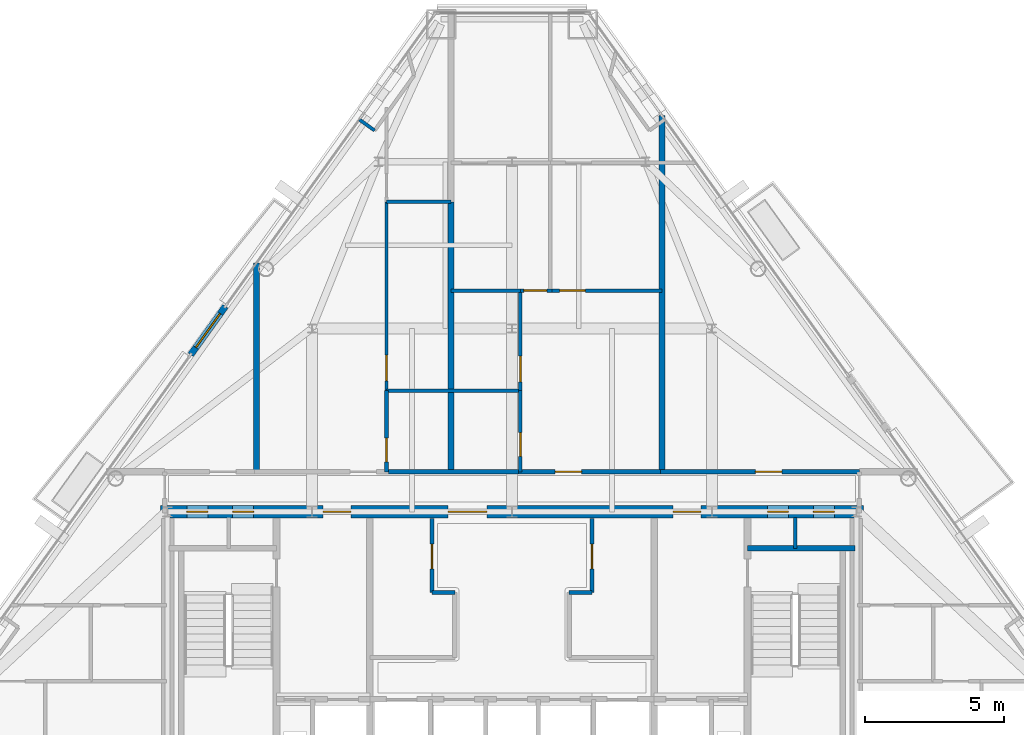
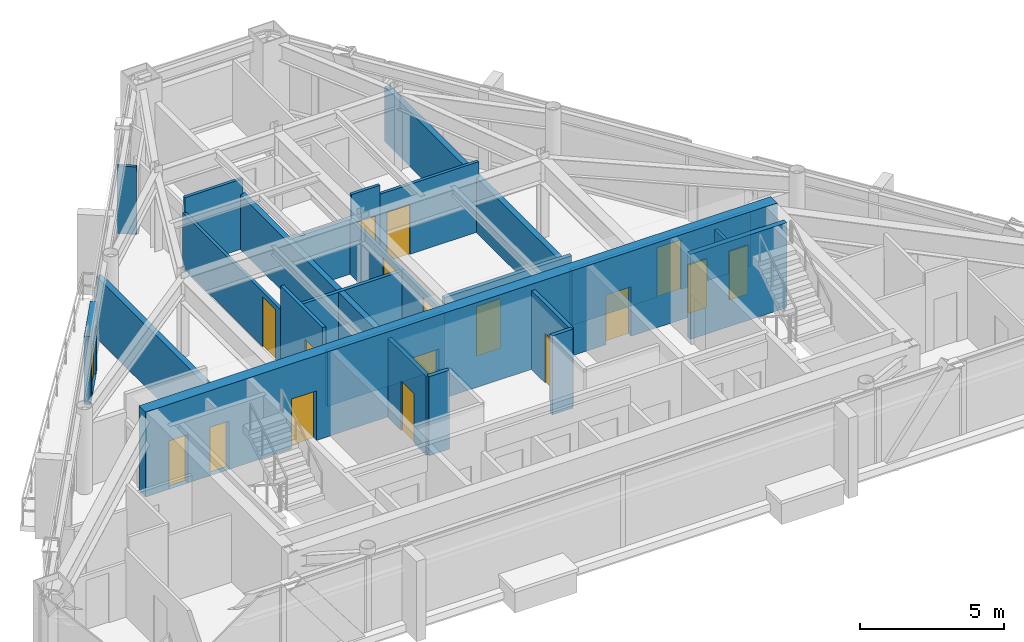
# One storey, part 8 of 11: 24 walls, 18 doors, 18 openings.
"""IFC4 building model written with IfcOpenShell, lengths in metres."""

from ifc_helpers import new_model, si_unit, direction, frame, frame_2d, origin, place, context, subcontext, project, spatial, rectangle, extrude, material, layer, layer_set, type_object, element, fill, save


model = new_model("IFC4")

# Units and contexts
model_context = context("Model", 3, precision=1e-05, world=origin(), true_north=direction((0.0, 1.0)))
body_context = subcontext(model_context, "Body", "Model", "MODEL_VIEW")
ifc_project = project(units=[si_unit("LENGTHUNIT", "METRE"), si_unit("AREAUNIT", "SQUARE_METRE"), si_unit("VOLUMEUNIT", "CUBIC_METRE"), si_unit("PLANEANGLEUNIT", "RADIAN"), si_unit("MASSUNIT", "GRAM", prefix="KILO")], contexts=[model_context])

# Site, building, storey
site_placement = place(None, origin())
site = spatial("IfcSite", under=ifc_project, at=site_placement, CompositionType="ELEMENT")
building_placement = place(site_placement, origin())
building = spatial("IfcBuilding", under=site, at=building_placement, Name="Talgorran Terracotta Tower", CompositionType="ELEMENT")
storey_placement = place(building_placement, frame((0.0, 0.0, 237.0)))
storey = spatial("IfcBuildingStorey", under=building, at=storey_placement, Name="L62", CompositionType="ELEMENT", Elevation=237.0)

# Wall, opening, door
ifc_material_1 = material(Name="Concrete C40/50", Category="concrete")
ifc_layer_1 = layer(ifc_material_1, 0.239990234375, Name="WT_BALCONY_SPAND")
ifc_layer_set_1 = layer_set([ifc_layer_1], Name="Concrete C40/50")
wall_type_1 = type_object("IfcWallType", Name="WT_BALCONY_SPAND", PredefinedType="STANDARD", material=ifc_layer_set_1)
wall_1_placement = place(storey_placement, frame((-10.318603515625, 3.19580078125, -0.014892578125), z_axis=(0.0, 0.0, 1.0), x_axis=(-0.582704832398, -0.812683873533, 0.0)))
wall_1 = element("IfcWall", 1, at=wall_1_placement, inside=storey, type_object=wall_type_1, Name="WL-L62-BALP-BAL-NW", PredefinedType="STANDARD", context=body_context, shape_type="SweptSolid", body=[
    extrude(rectangle(XDim=2.14013671875, YDim=0.239990234375, at=frame_2d((1.070068359375, 0.0))), origin(), (0.0, 0.0, 1.0), 2.8779296875),
])
opening_1_placement = place(wall_1_placement, frame((0.320068359375, 0.0, 0.014892578125)))
opening_1 = element("IfcOpeningElement", 2, at=opening_1_placement, cuts=wall_1, Name="Opening D-BAL-L62-2", PredefinedType="OPENING", context=body_context, shape_type="SweptSolid", body=[
    extrude(rectangle(XDim=1.506, YDim=2.203951171875, at=frame_2d((0.75, 1.10205078125))), frame((0.0, 0.1298828125, 0.0), z_axis=(0.0, -1.0, 0.0), x_axis=(1.0, 0.0, 0.0)), (0.0, 0.0, 1.0), 0.260009765625),
])
ifc_material_2 = material(Name="Thermally Broken Aluminium", Category="aluminium")
door_type_1 = type_object("IfcDoorType", Name="DT_BALC_1500", OperationType="SLIDING_TO_RIGHT", PredefinedType="DOOR", material=ifc_material_2)
door_1_placement = place(opening_1_placement, origin())
door_1 = element("IfcDoor", 3, at=door_1_placement, inside=storey, type_object=door_type_1, Name="DR-L62-BAL-BAL-NW", OperationType="SLIDING_TO_RIGHT", OverallHeight=2.199951171875, OverallWidth=1.5, PredefinedType="DOOR", context=body_context, shape_type="SweptSolid", body=[
    extrude(rectangle(XDim=1.5, YDim=2.199951171875, at=frame_2d((0.75, 1.10009765625))), frame((0.0, 0.02490234375, 0.0), z_axis=(0.0, -1.0, 0.0), x_axis=(1.0, 0.0, 0.0)), (0.0, 0.0, 1.0), 0.050048828125),
])
fill(opening_1, door_1)

# Wall
ifc_material_3 = material(Name="Concrete C50/60", Category="concrete")
ifc_layer_2 = layer(ifc_material_3, 0.199951171875, Name="WT_CORE_200")
ifc_layer_set_2 = layer_set([ifc_layer_2], Name="Concrete C50/60")
wall_type_2 = type_object("IfcWallType", Name="WT_CORE_200", PredefinedType="SOLIDWALL", material=ifc_layer_set_2)
wall_2_placement = place(storey_placement, frame((8.47998046875, -5.52001953125, 0.0), z_axis=(0.0, 0.0, 1.0), x_axis=(1.0, 0.0, 0.0)))
element("IfcWall", 4, at=wall_2_placement, inside=storey, type_object=wall_type_2, Name="WL-L62-CW-ST2-N", PredefinedType="SOLIDWALL", context=body_context, shape_type="SweptSolid", body=[
    extrude(rectangle(XDim=3.8701171875, YDim=0.199951171875, at=frame_2d((1.93505859375, 0.0))), origin(), (0.0, 0.0, 1.0), 3.60009765625),
])

# Wall, openings, doors
ifc_material_4 = material(Name="Concrete C65/80", Category="concrete")
ifc_layer_3 = layer(ifc_material_4, 0.449951171875, Name="WT_CORE_EXT")
ifc_layer_set_3 = layer_set([ifc_layer_3], Name="Concrete C65/80")
wall_type_3 = type_object("IfcWallType", Name="WT_CORE_EXT", PredefinedType="SHEAR", material=ifc_layer_set_3)
wall_3_placement = place(storey_placement, frame((-12.64990234375, -4.199951171875, 0.0), z_axis=(0.0, 0.0, 1.0), x_axis=(1.0, 0.0, 0.0)))
wall_3 = element("IfcWall", 5, at=wall_3_placement, inside=storey, type_object=wall_type_3, Name="WL-L62-CW-OUT-N", PredefinedType="SHEAR", context=body_context, shape_type="SweptSolid", body=[
    extrude(rectangle(XDim=25.2998046875, YDim=0.449951171875, at=frame_2d((12.64990234375, 0.0))), origin(), (0.0, 0.0, 1.0), 3.60009765625),
])
opening_2_placement = place(wall_3_placement, frame((0.949951171875, 0.0, 0.0)))
opening_2 = element("IfcOpeningElement", 6, at=opening_2_placement, cuts=wall_3, Name="Opening DR-CSN1", PredefinedType="OPENING", context=body_context, shape_type="SweptSolid", body=[
    extrude(rectangle(XDim=0.756, YDim=2.054048828125, at=frame_2d((0.375, 1.027099609375))), frame((0.0, 0.23486328125, 0.0), z_axis=(0.0, -1.0, 0.0), x_axis=(1.0, 0.0, 0.0)), (0.0, 0.0, 1.0), 0.469970703125),
])
opening_3_placement = place(wall_3_placement, frame((2.60009765625, 0.0, 0.0)))
opening_3 = element("IfcOpeningElement", 7, at=opening_3_placement, cuts=wall_3, Name="Opening DR-CSN2", PredefinedType="OPENING", context=body_context, shape_type="SweptSolid", body=[
    extrude(rectangle(XDim=0.756, YDim=2.054048828125, at=frame_2d((0.375, 1.027099609375))), frame((0.0, 0.23486328125, 0.0), z_axis=(0.0, -1.0, 0.0), x_axis=(1.0, 0.0, 0.0)), (0.0, 0.0, 1.0), 0.469970703125),
])
opening_4_placement = place(wall_3_placement, frame((21.85009765625, 0.0, 0.0)))
opening_4 = element("IfcOpeningElement", 8, at=opening_4_placement, cuts=wall_3, Name="Opening DR-CSN3", PredefinedType="OPENING", context=body_context, shape_type="SweptSolid", body=[
    extrude(rectangle(XDim=0.756, YDim=2.054048828125, at=frame_2d((0.375, 1.027099609375))), frame((0.0, 0.23486328125, 0.0), z_axis=(0.0, -1.0, 0.0), x_axis=(1.0, 0.0, 0.0)), (0.0, 0.0, 1.0), 0.469970703125),
])
opening_5_placement = place(wall_3_placement, frame((23.5, 0.0, 0.0)))
opening_5 = element("IfcOpeningElement", 9, at=opening_5_placement, cuts=wall_3, Name="Opening DR-CSN4", PredefinedType="OPENING", context=body_context, shape_type="SweptSolid", body=[
    extrude(rectangle(XDim=0.756, YDim=2.054048828125, at=frame_2d((0.375, 1.027099609375))), frame((0.0, 0.23486328125, 0.0), z_axis=(0.0, -1.0, 0.0), x_axis=(1.0, 0.0, 0.0)), (0.0, 0.0, 1.0), 0.469970703125),
])
opening_6_placement = place(wall_3_placement, frame((5.85009765625, 0.0, 0.0)))
opening_6 = element("IfcOpeningElement", 10, at=opening_6_placement, cuts=wall_3, Name="Opening DR-FFLW-N", PredefinedType="OPENING", context=body_context, shape_type="SweptSolid", body=[
    extrude(rectangle(XDim=1.006, YDim=2.10409765625, at=frame_2d((0.5, 1.052001953125))), frame((0.0, 0.23486328125, 0.0), z_axis=(0.0, -1.0, 0.0), x_axis=(1.0, 0.0, 0.0)), (0.0, 0.0, 1.0), 0.469970703125),
])
opening_7_placement = place(wall_3_placement, frame((10.35009765625, 0.0, 0.0)))
opening_7 = element("IfcOpeningElement", 11, at=opening_7_placement, cuts=wall_3, Name="Opening DR-PLL-N", PredefinedType="OPENING", context=body_context, shape_type="SweptSolid", body=[
    extrude(rectangle(XDim=1.40590234375, YDim=2.15390234375, at=frame_2d((0.699951171875, 1.076904296875))), frame((0.0, 0.23486328125, 0.0), z_axis=(0.0, -1.0, 0.0), x_axis=(1.0, 0.0, 0.0)), (0.0, 0.0, 1.0), 0.469970703125),
])
opening_8_placement = place(wall_3_placement, frame((18.449951171875, 0.0, 0.0)))
opening_8 = element("IfcOpeningElement", 12, at=opening_8_placement, cuts=wall_3, Name="Opening DR-FFLE-N", PredefinedType="OPENING", context=body_context, shape_type="SweptSolid", body=[
    extrude(rectangle(XDim=1.006, YDim=2.10409765625, at=frame_2d((0.5, 1.052001953125))), frame((0.0, 0.23486328125, 0.0), z_axis=(0.0, -1.0, 0.0), x_axis=(1.0, 0.0, 0.0)), (0.0, 0.0, 1.0), 0.469970703125),
])
ifc_material_5 = material(Name="Acoustic Glazed Timber", Category="wood")
door_type_2 = type_object("IfcDoorType", Name="DT_DOUBLE_1400", OperationType="DOUBLE_DOOR_SINGLE_SWING", PredefinedType="DOOR", material=ifc_material_5)
door_2_placement = place(opening_7_placement, origin())
door_2 = element("IfcDoor", 13, at=door_2_placement, inside=storey, type_object=door_type_2, Name="DR-PLL-N", OperationType="DOUBLE_DOOR_SINGLE_SWING", OverallHeight=2.14990234375, OverallWidth=1.39990234375, PredefinedType="DOOR", context=body_context, shape_type="SweptSolid", body=[
    extrude(rectangle(XDim=1.39990234375, YDim=2.14990234375, at=frame_2d((0.699951171875, 1.074951171875))), frame((0.0, 0.02490234375, 0.0), z_axis=(0.0, -1.0, 0.0), x_axis=(1.0, 0.0, 0.0)), (0.0, 0.0, 1.0), 0.050048828125),
])
fill(opening_7, door_2)
ifc_material_6 = material(Name="Fire-Rated Pressed Steel", Category="steel")
door_type_3 = type_object("IfcDoorType", Name="DT_FIRE_1000", OperationType="NOTDEFINED", PredefinedType="DOOR", material=ifc_material_6)
door_3_placement = place(opening_6_placement, origin())
door_3 = element("IfcDoor", 14, at=door_3_placement, inside=storey, type_object=door_type_3, Name="DR-FFLW-N", OperationType="SINGLE_SWING_LEFT", OverallHeight=2.10009765625, OverallWidth=1.0, PredefinedType="DOOR", context=body_context, shape_type="SweptSolid", body=[
    extrude(rectangle(XDim=1.0, YDim=2.10009765625, at=frame_2d((0.5, 1.050048828125))), frame((0.0, 0.02490234375, 0.0), z_axis=(0.0, -1.0, 0.0), x_axis=(1.0, 0.0, 0.0)), (0.0, 0.0, 1.0), 0.050048828125),
])
fill(opening_6, door_3)
door_4_placement = place(opening_8_placement, origin())
door_4 = element("IfcDoor", 15, at=door_4_placement, inside=storey, type_object=door_type_3, Name="DR-FFLE-N", OperationType="SINGLE_SWING_RIGHT", OverallHeight=2.10009765625, OverallWidth=1.0, PredefinedType="DOOR", context=body_context, shape_type="SweptSolid", body=[
    extrude(rectangle(XDim=1.0, YDim=2.10009765625, at=frame_2d((0.5, 1.050048828125))), frame((0.0, 0.02490234375, 0.0), z_axis=(0.0, -1.0, 0.0), x_axis=(1.0, 0.0, 0.0)), (0.0, 0.0, 1.0), 0.050048828125),
])
fill(opening_8, door_4)
door_type_4 = type_object("IfcDoorType", Name="DT_RISER_750", OperationType="NOTDEFINED", PredefinedType="DOOR", material=ifc_material_6)
door_5_placement = place(opening_2_placement, origin())
door_5 = element("IfcDoor", 16, at=door_5_placement, inside=storey, type_object=door_type_4, Name="DR-CSN1", OperationType="SINGLE_SWING_LEFT", OverallHeight=2.050048828125, OverallWidth=0.75, PredefinedType="DOOR", context=body_context, shape_type="SweptSolid", body=[
    extrude(rectangle(XDim=0.75, YDim=2.050048828125, at=frame_2d((0.375, 1.02490234375))), frame((0.0, 0.02490234375, 0.0), z_axis=(0.0, -1.0, 0.0), x_axis=(1.0, 0.0, 0.0)), (0.0, 0.0, 1.0), 0.050048828125),
])
fill(opening_2, door_5)
door_6_placement = place(opening_3_placement, origin())
door_6 = element("IfcDoor", 17, at=door_6_placement, inside=storey, type_object=door_type_4, Name="DR-CSN2", OperationType="SINGLE_SWING_RIGHT", OverallHeight=2.050048828125, OverallWidth=0.75, PredefinedType="DOOR", context=body_context, shape_type="SweptSolid", body=[
    extrude(rectangle(XDim=0.75, YDim=2.050048828125, at=frame_2d((0.375, 1.02490234375))), frame((0.0, 0.02490234375, 0.0), z_axis=(0.0, -1.0, 0.0), x_axis=(1.0, 0.0, 0.0)), (0.0, 0.0, 1.0), 0.050048828125),
])
fill(opening_3, door_6)
door_7_placement = place(opening_4_placement, origin())
door_7 = element("IfcDoor", 18, at=door_7_placement, inside=storey, type_object=door_type_4, Name="DR-CSN3", OperationType="SINGLE_SWING_LEFT", OverallHeight=2.050048828125, OverallWidth=0.75, PredefinedType="DOOR", context=body_context, shape_type="SweptSolid", body=[
    extrude(rectangle(XDim=0.75, YDim=2.050048828125, at=frame_2d((0.375, 1.02490234375))), frame((0.0, 0.02490234375, 0.0), z_axis=(0.0, -1.0, 0.0), x_axis=(1.0, 0.0, 0.0)), (0.0, 0.0, 1.0), 0.050048828125),
])
fill(opening_4, door_7)
door_8_placement = place(opening_5_placement, origin())
door_8 = element("IfcDoor", 19, at=door_8_placement, inside=storey, type_object=door_type_4, Name="DR-CSN4", OperationType="SINGLE_SWING_RIGHT", OverallHeight=2.050048828125, OverallWidth=0.75, PredefinedType="DOOR", context=body_context, shape_type="SweptSolid", body=[
    extrude(rectangle(XDim=0.75, YDim=2.050048828125, at=frame_2d((0.375, 1.02490234375))), frame((0.0, 0.02490234375, 0.0), z_axis=(0.0, -1.0, 0.0), x_axis=(1.0, 0.0, 0.0)), (0.0, 0.0, 1.0), 0.050048828125),
])
fill(opening_5, door_8)

# Wall
ifc_material_7 = material(Name="Fire-Rated Steel Stud Plasterboard", Category="steel")
ifc_layer_4 = layer(ifc_material_7, 0.14990234375, Name="WT_FIRE_150")
ifc_layer_set_4 = layer_set([ifc_layer_4], Name="Fire-Rated Steel Stud Plasterboard")
wall_type_4 = type_object("IfcWallType", Name="WT_FIRE_150", PredefinedType="PARTITIONING", material=ifc_layer_set_4)
wall_4_placement = place(storey_placement, frame((-2.8798828125, -7.10009765625, 0.0), z_axis=(0.0, 0.0, 1.0), x_axis=(1.0, 0.0, 0.0)))
element("IfcWall", 20, at=wall_4_placement, inside=storey, type_object=wall_type_4, Name="WL-L62-CW-H-W3M2", PredefinedType="PARTITIONING", context=body_context, shape_type="SweptSolid", body=[
    extrude(rectangle(XDim=0.81982421875, YDim=0.14990234375, at=frame_2d((0.409912109375, 0.0))), origin(), (0.0, 0.0, 1.0), 3.344970703125),
])

# Wall, opening, door
wall_5_placement = place(storey_placement, frame((-2.8798828125, -7.10009765625, 0.0), z_axis=(0.0, 0.0, 1.0), x_axis=(0.0, 1.0, 0.0)))
wall_5 = element("IfcWall", 21, at=wall_5_placement, inside=storey, type_object=wall_type_4, Name="WL-L62-CW-V-W3N", PredefinedType="PARTITIONING", context=body_context, shape_type="SweptSolid", body=[
    extrude(rectangle(XDim=2.650146484375, YDim=0.14990234375, at=frame_2d((1.3251953125, 0.0))), origin(), (0.0, 0.0, 1.0), 3.344970703125),
])
opening_9_placement = place(wall_5_placement, frame((0.85009765625, 0.0, 0.0)))
opening_9 = element("IfcOpeningElement", 22, at=opening_9_placement, cuts=wall_5, Name="Opening DR-FRPLL-B", PredefinedType="OPENING", context=body_context, shape_type="SweptSolid", body=[
    extrude(rectangle(XDim=0.8858828125, YDim=2.10409765625, at=frame_2d((0.43994140625, 1.052001953125))), frame((0.0, 0.0849609375, 0.0), z_axis=(0.0, -1.0, 0.0), x_axis=(1.0, 0.0, 0.0)), (0.0, 0.0, 1.0), 0.169921875),
])
ifc_material_8 = material(Name="Solid-Core Painted Timber", Category="wood")
door_type_5 = type_object("IfcDoorType", Name="DT_INT_880", OperationType="NOTDEFINED", PredefinedType="DOOR", material=ifc_material_8)
door_9_placement = place(opening_9_placement, origin())
door_9 = element("IfcDoor", 23, at=door_9_placement, inside=storey, type_object=door_type_5, Name="DR-FRPLL-B", OperationType="SINGLE_SWING_LEFT", OverallHeight=2.10009765625, OverallWidth=0.8798828125, PredefinedType="DOOR", context=body_context, shape_type="SweptSolid", body=[
    extrude(rectangle(XDim=0.8798828125, YDim=2.10009765625, at=frame_2d((0.43994140625, 1.050048828125))), frame((0.0, 0.02490234375, 0.0), z_axis=(0.0, -1.0, 0.0), x_axis=(1.0, 0.0, 0.0)), (0.0, 0.0, 1.0), 0.050048828125),
])
fill(opening_9, door_9)

# Wall
wall_6_placement = place(storey_placement, frame((2.06005859375, -7.10009765625, 0.0), z_axis=(0.0, 0.0, 1.0), x_axis=(1.0, 0.0, 0.0)))
element("IfcWall", 24, at=wall_6_placement, inside=storey, type_object=wall_type_4, Name="WL-L62-CW-H-E3M2", PredefinedType="PARTITIONING", context=body_context, shape_type="SweptSolid", body=[
    extrude(rectangle(XDim=0.81982421875, YDim=0.14990234375, at=frame_2d((0.409912109375, 0.0))), origin(), (0.0, 0.0, 1.0), 3.344970703125),
])

# Wall, opening, door
wall_7_placement = place(storey_placement, frame((2.8798828125, -7.10009765625, 0.0), z_axis=(0.0, 0.0, 1.0), x_axis=(0.0, 1.0, 0.0)))
wall_7 = element("IfcWall", 25, at=wall_7_placement, inside=storey, type_object=wall_type_4, Name="WL-L62-CW-V-E3N", PredefinedType="PARTITIONING", context=body_context, shape_type="SweptSolid", body=[
    extrude(rectangle(XDim=2.650146484375, YDim=0.14990234375, at=frame_2d((1.3251953125, 0.0))), origin(), (0.0, 0.0, 1.0), 3.344970703125),
])
opening_10_placement = place(wall_7_placement, frame((0.85009765625, 0.0, 0.0)))
opening_10 = element("IfcOpeningElement", 26, at=opening_10_placement, cuts=wall_7, Name="Opening DR-FRPLM-B", PredefinedType="OPENING", context=body_context, shape_type="SweptSolid", body=[
    extrude(rectangle(XDim=0.8858828125, YDim=2.10409765625, at=frame_2d((0.43994140625, 1.052001953125))), frame((0.0, 0.0849609375, 0.0), z_axis=(0.0, -1.0, 0.0), x_axis=(1.0, 0.0, 0.0)), (0.0, 0.0, 1.0), 0.169921875),
])
door_10_placement = place(opening_10_placement, origin())
door_10 = element("IfcDoor", 27, at=door_10_placement, inside=storey, type_object=door_type_5, Name="DR-FRPLM-B", OperationType="SINGLE_SWING_RIGHT", OverallHeight=2.10009765625, OverallWidth=0.8798828125, PredefinedType="DOOR", context=body_context, shape_type="SweptSolid", body=[
    extrude(rectangle(XDim=0.8798828125, YDim=2.10009765625, at=frame_2d((0.43994140625, 1.050048828125))), frame((0.0, 0.02490234375, 0.0), z_axis=(0.0, -1.0, 0.0), x_axis=(1.0, 0.0, 0.0)), (0.0, 0.0, 1.0), 0.050048828125),
])
fill(opening_10, door_10)

wall_8_placement = place(storey_placement, frame((5.340087890625, -2.760009765625, 0.0), z_axis=(0.0, 0.0, 1.0), x_axis=(1.0, 0.0, 0.0)))
wall_8 = element("IfcWall", 28, at=wall_8_placement, inside=storey, type_object=wall_type_4, Name="WL-L62-W-L62-R08", PredefinedType="PARTITIONING", context=body_context, shape_type="SweptSolid", body=[
    extrude(rectangle(XDim=7.159912109375, YDim=0.14990234375, at=frame_2d((3.580078125, 0.0))), origin(), (0.0, 0.0, 1.0), 2.320068359375),
])
opening_11_placement = place(wall_8_placement, frame((3.42333984375, 0.0, 0.0)))
opening_11 = element("IfcOpeningElement", 29, at=opening_11_placement, cuts=wall_8, Name="Opening DR-L62-R23", PredefinedType="OPENING", context=body_context, shape_type="SweptSolid", body=[
    extrude(rectangle(XDim=0.955951171875, YDim=2.10409765625, at=frame_2d((0.47509765625, 1.052001953125))), frame((0.0, 0.0849609375, 0.0), z_axis=(0.0, -1.0, 0.0), x_axis=(1.0, 0.0, 0.0)), (0.0, 0.0, 1.0), 0.169921875),
])
ifc_material_9 = material(Name="Fire-Rated Timber Core", Category="wood")
door_type_6 = type_object("IfcDoorType", Name="DT_FIRE_950", OperationType="NOTDEFINED", PredefinedType="DOOR", material=ifc_material_9)
door_11_placement = place(opening_11_placement, origin())
door_11 = element("IfcDoor", 30, at=door_11_placement, inside=storey, type_object=door_type_6, Name="DR-L62-R23", OperationType="SINGLE_SWING_LEFT", OverallHeight=2.10009765625, OverallWidth=0.949951171875, PredefinedType="DOOR", context=body_context, shape_type="SweptSolid", body=[
    extrude(rectangle(XDim=0.949951171875, YDim=2.10009765625, at=frame_2d((0.47509765625, 1.050048828125))), frame((0.0, 0.02490234375, 0.0), z_axis=(0.0, -1.0, 0.0), x_axis=(1.0, 0.0, 0.0)), (0.0, 0.0, 1.0), 0.050048828125),
])
fill(opening_11, door_11)

wall_9_placement = place(storey_placement, frame((0.239990234375, -2.760009765625, 0.0), z_axis=(0.0, 0.0, 1.0), x_axis=(1.0, 0.0, 0.0)))
wall_9 = element("IfcWall", 31, at=wall_9_placement, inside=storey, type_object=wall_type_4, Name="WL-L62-W-L62-R07", PredefinedType="PARTITIONING", context=body_context, shape_type="SweptSolid", body=[
    extrude(rectangle(XDim=5.097900390625, YDim=0.14990234375, at=frame_2d((2.548828125, 0.0))), origin(), (0.0, 0.0, 1.0), 2.96435546875),
])
opening_12_placement = place(wall_9_placement, frame((1.31689453125, 0.0, 0.0)))
opening_12 = element("IfcOpeningElement", 32, at=opening_12_placement, cuts=wall_9, Name="Opening DR-L62-R18", PredefinedType="OPENING", context=body_context, shape_type="SweptSolid", body=[
    extrude(rectangle(XDim=0.955951171875, YDim=2.10409765625, at=frame_2d((0.47509765625, 1.052001953125))), frame((0.0, 0.0849609375, 0.0), z_axis=(0.0, -1.0, 0.0), x_axis=(1.0, 0.0, 0.0)), (0.0, 0.0, 1.0), 0.169921875),
])
door_12_placement = place(opening_12_placement, origin())
door_12 = element("IfcDoor", 33, at=door_12_placement, inside=storey, type_object=door_type_6, Name="DR-L62-R18", OperationType="SINGLE_SWING_RIGHT", OverallHeight=2.10009765625, OverallWidth=0.949951171875, PredefinedType="DOOR", context=body_context, shape_type="SweptSolid", body=[
    extrude(rectangle(XDim=0.949951171875, YDim=2.10009765625, at=frame_2d((0.47509765625, 1.050048828125))), frame((0.0, 0.02490234375, 0.0), z_axis=(0.0, -1.0, 0.0), x_axis=(1.0, 0.0, 0.0)), (0.0, 0.0, 1.0), 0.050048828125),
])
fill(opening_12, door_12)

# Walls
wall_10_placement = place(storey_placement, frame((-4.43798828125, -2.760009765625, 0.0), z_axis=(0.0, 0.0, 1.0), x_axis=(1.0, 0.0, 0.0)))
element("IfcWall", 34, at=wall_10_placement, inside=storey, type_object=wall_type_4, Name="WL-L62-W-L62-R06", PredefinedType="PARTITIONING", context=body_context, shape_type="SweptSolid", body=[
    extrude(rectangle(XDim=4.676025390625, YDim=0.14990234375, at=frame_2d((2.337890625, 0.0))), origin(), (0.0, 0.0, 1.0), 2.320068359375),
])
ifc_material_10 = material(Name="Acoustic Masonry and Plasterboard", Category="masonry")
ifc_layer_5 = layer(ifc_material_10, 0.219970703125, Name="WT_PARTY_220")
ifc_layer_set_5 = layer_set([ifc_layer_5], Name="Acoustic Masonry and Plasterboard")
wall_type_5 = type_object("IfcWallType", Name="WT_PARTY_220", PredefinedType="PARTITIONING", material=ifc_layer_set_5)
wall_11_placement = place(storey_placement, frame((-9.199951171875, -2.760009765625, 0.0), z_axis=(0.0, 0.0, 1.0), x_axis=(0.0, 1.0, 0.0)))
element("IfcWall", 35, at=wall_11_placement, inside=storey, type_object=wall_type_5, Name="WL-L62-W-L62-R25", PredefinedType="PARTITIONING", context=body_context, shape_type="SweptSolid", body=[
    extrude(rectangle(XDim=7.51611328125, YDim=0.219970703125, at=frame_2d((3.758056640625, 0.0))), origin(), (0.0, 0.0, 1.0), 2.6201171875),
])
wall_12_placement = place(storey_placement, frame((5.39990234375, -2.760009765625, 0.0), z_axis=(0.0, 0.0, 1.0), x_axis=(0.0, 1.0, 0.0)))
element("IfcWall", 36, at=wall_12_placement, inside=storey, type_object=wall_type_5, Name="WL-L62-W-L62-R42", PredefinedType="PARTITIONING", context=body_context, shape_type="SweptSolid", body=[
    extrude(rectangle(XDim=12.81640625, YDim=0.219970703125, at=frame_2d((6.408203125, 0.0))), origin(), (0.0, 0.0, 1.0), 2.320068359375),
])
wall_13_placement = place(storey_placement, frame((-2.199951171875, -2.760009765625, 0.0), z_axis=(0.0, 0.0, 1.0), x_axis=(0.0, 1.0, 0.0)))
element("IfcWall", 37, at=wall_13_placement, inside=storey, type_object=wall_type_5, Name="WL-L62-W-L62-R31", PredefinedType="PARTITIONING", context=body_context, shape_type="SweptSolid", body=[
    extrude(rectangle(XDim=9.719970703125, YDim=0.219970703125, at=frame_2d((4.85986328125, 0.0))), origin(), (0.0, 0.0, 1.0), 2.320068359375),
])
ifc_material_11 = material(Name="Insulated Steel Stud Plasterboard", Category="steel")
ifc_layer_6 = layer(ifc_material_11, 0.1201171875, Name="WT_PART_120")
ifc_layer_set_6 = layer_set([ifc_layer_6], Name="Insulated Steel Stud Plasterboard")
wall_type_6 = type_object("IfcWallType", Name="WT_PART_120", PredefinedType="PARTITIONING", material=ifc_layer_set_6)
wall_14_placement = place(storey_placement, frame((10.199951171875, -5.52001953125, 0.0), z_axis=(0.0, 0.0, 1.0), x_axis=(0.0, 1.0, 0.0)))
element("IfcWall", 38, at=wall_14_placement, inside=storey, type_object=wall_type_6, Name="WL-L62-CW-CSE-DIV", PredefinedType="PARTITIONING", context=body_context, shape_type="SweptSolid", body=[
    extrude(rectangle(XDim=1.1201171875, YDim=0.1201171875, at=frame_2d((0.56005859375, 0.0))), origin(), (0.0, 0.0, 1.0), 3.344970703125),
])

# Wall, opening, door
wall_15_placement = place(storey_placement, frame((-4.52001953125, 0.159912109375, 0.0), z_axis=(0.0, 0.0, 1.0), x_axis=(0.0, 1.0, 0.0)))
wall_15 = element("IfcWall", 39, at=wall_15_placement, inside=storey, type_object=wall_type_6, Name="WL-L62-W-L62-R30", PredefinedType="PARTITIONING", context=body_context, shape_type="SweptSolid", body=[
    extrude(rectangle(XDim=6.800048828125, YDim=0.1201171875, at=frame_2d((3.39990234375, 0.0))), origin(), (0.0, 0.0, 1.0), 2.320068359375),
])
opening_13_placement = place(wall_15_placement, frame((0.3583984375, 0.0, 0.0)))
opening_13 = element("IfcOpeningElement", 40, at=opening_13_placement, cuts=wall_15, Name="Opening DR-L62-R13", PredefinedType="OPENING", context=body_context, shape_type="SweptSolid", body=[
    extrude(rectangle(XDim=0.925921875, YDim=2.10409765625, at=frame_2d((0.4599609375, 1.052001953125))), frame((0.0, 0.070068359375, 0.0), z_axis=(0.0, -1.0, 0.0), x_axis=(1.0, 0.0, 0.0)), (0.0, 0.0, 1.0), 0.14013671875),
])
door_type_7 = type_object("IfcDoorType", Name="DT_INT_920", OperationType="NOTDEFINED", PredefinedType="DOOR", material=ifc_material_8)
door_13_placement = place(opening_13_placement, origin())
door_13 = element("IfcDoor", 41, at=door_13_placement, inside=storey, type_object=door_type_7, Name="DR-L62-R13", OperationType="SINGLE_SWING_LEFT", OverallHeight=2.10009765625, OverallWidth=0.919921875, PredefinedType="DOOR", context=body_context, shape_type="SweptSolid", body=[
    extrude(rectangle(XDim=0.919921875, YDim=2.10009765625, at=frame_2d((0.4599609375, 1.050048828125))), frame((0.0, 0.02490234375, 0.0), z_axis=(0.0, -1.0, 0.0), x_axis=(1.0, 0.0, 0.0)), (0.0, 0.0, 1.0), 0.050048828125),
])
fill(opening_13, door_13)

wall_16_placement = place(storey_placement, frame((1.320068359375, 3.760009765625, 0.0), z_axis=(0.0, 0.0, 1.0), x_axis=(1.0, 0.0, 0.0)))
wall_16 = element("IfcWall", 42, at=wall_16_placement, inside=storey, type_object=wall_type_6, Name="WL-L62-W-L62-R41", PredefinedType="PARTITIONING", context=body_context, shape_type="SweptSolid", body=[
    extrude(rectangle(XDim=4.079833984375, YDim=0.1201171875, at=frame_2d((2.0400390625, 0.0))), origin(), (0.0, 0.0, 1.0), 2.96435546875),
])
opening_14_placement = place(wall_16_placement, frame((0.396240234375, 0.0, 0.0)))
opening_14 = element("IfcOpeningElement", 43, at=opening_14_placement, cuts=wall_16, Name="Opening DR-L62-R21", PredefinedType="OPENING", context=body_context, shape_type="SweptSolid", body=[
    extrude(rectangle(XDim=0.925921875, YDim=2.10409765625, at=frame_2d((0.4599609375, 1.052001953125))), frame((0.0, 0.070068359375, 0.0), z_axis=(0.0, -1.0, 0.0), x_axis=(1.0, 0.0, 0.0)), (0.0, 0.0, 1.0), 0.14013671875),
])
door_14_placement = place(opening_14_placement, origin())
door_14 = element("IfcDoor", 44, at=door_14_placement, inside=storey, type_object=door_type_7, Name="DR-L62-R21", OperationType="SINGLE_SWING_LEFT", OverallHeight=2.10009765625, OverallWidth=0.919921875, PredefinedType="DOOR", context=body_context, shape_type="SweptSolid", body=[
    extrude(rectangle(XDim=0.919921875, YDim=2.10009765625, at=frame_2d((0.4599609375, 1.050048828125))), frame((0.0, 0.02490234375, 0.0), z_axis=(0.0, -1.0, 0.0), x_axis=(1.0, 0.0, 0.0)), (0.0, 0.0, 1.0), 0.050048828125),
])
fill(opening_14, door_14)

wall_17_placement = place(storey_placement, frame((0.300048828125, 0.159912109375, 0.0), z_axis=(0.0, 0.0, 1.0), x_axis=(0.0, 1.0, 0.0)))
wall_17 = element("IfcWall", 45, at=wall_17_placement, inside=storey, type_object=wall_type_6, Name="WL-L62-W-L62-R38", PredefinedType="PARTITIONING", context=body_context, shape_type="SweptSolid", body=[
    extrude(rectangle(XDim=3.60009765625, YDim=0.1201171875, at=frame_2d((1.800048828125, 0.0))), origin(), (0.0, 0.0, 1.0), 2.320068359375),
])
opening_15_placement = place(wall_17_placement, frame((0.320068359375, 0.0, 0.0)))
opening_15 = element("IfcOpeningElement", 46, at=opening_15_placement, cuts=wall_17, Name="Opening DR-L62-R17", PredefinedType="OPENING", context=body_context, shape_type="SweptSolid", body=[
    extrude(rectangle(XDim=0.925921875, YDim=2.10409765625, at=frame_2d((0.4599609375, 1.052001953125))), frame((0.0, 0.070068359375, 0.0), z_axis=(0.0, -1.0, 0.0), x_axis=(1.0, 0.0, 0.0)), (0.0, 0.0, 1.0), 0.14013671875),
])
door_15_placement = place(opening_15_placement, origin())
door_15 = element("IfcDoor", 47, at=door_15_placement, inside=storey, type_object=door_type_7, Name="DR-L62-R17", OperationType="SINGLE_SWING_LEFT", OverallHeight=2.10009765625, OverallWidth=0.919921875, PredefinedType="DOOR", context=body_context, shape_type="SweptSolid", body=[
    extrude(rectangle(XDim=0.919921875, YDim=2.10009765625, at=frame_2d((0.4599609375, 1.050048828125))), frame((0.0, 0.02490234375, 0.0), z_axis=(0.0, -1.0, 0.0), x_axis=(1.0, 0.0, 0.0)), (0.0, 0.0, 1.0), 0.050048828125),
])
fill(opening_15, door_15)

# Walls
wall_18_placement = place(storey_placement, frame((-2.199951171875, 3.760009765625, 0.0), z_axis=(0.0, 0.0, 1.0), x_axis=(1.0, 0.0, 0.0)))
element("IfcWall", 48, at=wall_18_placement, inside=storey, type_object=wall_type_6, Name="WL-L62-W-L62-R39", PredefinedType="PARTITIONING", context=body_context, shape_type="SweptSolid", body=[
    extrude(rectangle(XDim=2.5, YDim=0.1201171875, at=frame_2d((1.25, 0.0))), origin(), (0.0, 0.0, 1.0), 2.320068359375),
])
wall_19_placement = place(storey_placement, frame((-4.52001953125, 6.9599609375, 0.0), z_axis=(0.0, 0.0, 1.0), x_axis=(1.0, 0.0, 0.0)))
element("IfcWall", 49, at=wall_19_placement, inside=storey, type_object=wall_type_6, Name="WL-L62-W-L62-R29", PredefinedType="PARTITIONING", context=body_context, shape_type="SweptSolid", body=[
    extrude(rectangle(XDim=2.320068359375, YDim=0.1201171875, at=frame_2d((1.16015625, 0.0))), origin(), (0.0, 0.0, 1.0), 2.96435546875),
])

# Wall, opening, door
wall_20_placement = place(storey_placement, frame((0.300048828125, 3.760009765625, 0.0), z_axis=(0.0, 0.0, 1.0), x_axis=(1.0, 0.0, 0.0)))
wall_20 = element("IfcWall", 50, at=wall_20_placement, inside=storey, type_object=wall_type_6, Name="WL-L62-W-L62-R40", PredefinedType="PARTITIONING", context=body_context, shape_type="SweptSolid", body=[
    extrude(rectangle(XDim=1.139892578125, YDim=0.1201171875, at=frame_2d((0.56982421875, 0.0))), origin(), (0.0, 0.0, 1.0), 3.344970703125),
])
opening_16_placement = place(wall_20_placement, frame((0.1298828125, 0.0, 0.0)))
opening_16 = element("IfcOpeningElement", 51, at=opening_16_placement, cuts=wall_20, Name="Opening DR-L62-R19", PredefinedType="OPENING", context=body_context, shape_type="SweptSolid", body=[
    extrude(rectangle(XDim=0.826068359375, YDim=2.10409765625, at=frame_2d((0.41015625, 1.052001953125))), frame((0.0, 0.070068359375, 0.0), z_axis=(0.0, -1.0, 0.0), x_axis=(1.0, 0.0, 0.0)), (0.0, 0.0, 1.0), 0.14013671875),
])
ifc_material_12 = material(Name="Moisture-Resistant Solid Timber", Category="wood")
door_type_8 = type_object("IfcDoorType", Name="DT_INT_820", OperationType="NOTDEFINED", PredefinedType="DOOR", material=ifc_material_12)
door_16_placement = place(opening_16_placement, origin())
door_16 = element("IfcDoor", 52, at=door_16_placement, inside=storey, type_object=door_type_8, Name="DR-L62-R19", OperationType="SINGLE_SWING_LEFT", OverallHeight=2.10009765625, OverallWidth=0.820068359375, PredefinedType="DOOR", context=body_context, shape_type="SweptSolid", body=[
    extrude(rectangle(XDim=0.820068359375, YDim=2.10009765625, at=frame_2d((0.41015625, 1.050048828125))), frame((0.0, 0.02490234375, 0.0), z_axis=(0.0, -1.0, 0.0), x_axis=(1.0, 0.0, 0.0)), (0.0, 0.0, 1.0), 0.050048828125),
])
fill(opening_16, door_16)

# Wall
wall_21_placement = place(storey_placement, frame((-4.944580078125, 9.524658203125, 0.0), z_axis=(0.0, 0.0, 1.0), x_axis=(-0.812673311452, 0.582719562786, 0.0)))
element("IfcWall", 53, at=wall_21_placement, inside=storey, type_object=wall_type_6, Name="WL-L62-BW-L62-15", PredefinedType="PARTITIONING", context=body_context, shape_type="SweptSolid", body=[
    extrude(rectangle(XDim=0.669921875, YDim=0.1201171875, at=frame_2d((0.3349609375, 0.0))), origin(), (0.0, 0.0, 1.0), 2.863037109375),
])

# Wall, opening, door
ifc_material_13 = material(Name="Moisture-Resistant Stud Wall")
ifc_layer_7 = layer(ifc_material_13, 0.135009765625, Name="WT_PART_135")
ifc_layer_set_7 = layer_set([ifc_layer_7], Name="Moisture-Resistant Stud Wall")
wall_type_7 = type_object("IfcWallType", Name="WT_PART_135", PredefinedType="PARTITIONING", material=ifc_layer_set_7)
wall_22_placement = place(storey_placement, frame((-4.52001953125, -2.760009765625, 0.0), z_axis=(0.0, 0.0, 1.0), x_axis=(0.0, 1.0, 0.0)))
wall_22 = element("IfcWall", 54, at=wall_22_placement, inside=storey, type_object=wall_type_7, Name="WL-L62-W-L62-R27", PredefinedType="PARTITIONING", context=body_context, shape_type="SweptSolid", body=[
    extrude(rectangle(XDim=2.919921875, YDim=0.135009765625, at=frame_2d((1.4599609375, 0.0))), origin(), (0.0, 0.0, 1.0), 3.344970703125),
])
opening_17_placement = place(wall_22_placement, frame((0.358642578125, 0.0, 0.0)))
opening_17 = element("IfcOpeningElement", 55, at=opening_17_placement, cuts=wall_22, Name="Opening DR-L62-R12", PredefinedType="OPENING", context=body_context, shape_type="SweptSolid", body=[
    extrude(rectangle(XDim=0.85609765625, YDim=2.10409765625, at=frame_2d((0.425048828125, 1.052001953125))), frame((0.0, 0.07763671875, 0.0), z_axis=(0.0, -1.0, 0.0), x_axis=(1.0, 0.0, 0.0)), (0.0, 0.0, 1.0), 0.155029296875),
])
door_type_9 = type_object("IfcDoorType", Name="DT_INT_850", OperationType="NOTDEFINED", PredefinedType="DOOR", material=ifc_material_12)
door_17_placement = place(opening_17_placement, origin())
door_17 = element("IfcDoor", 56, at=door_17_placement, inside=storey, type_object=door_type_9, Name="DR-L62-R12", OperationType="SINGLE_SWING_RIGHT", OverallHeight=2.10009765625, OverallWidth=0.85009765625, PredefinedType="DOOR", context=body_context, shape_type="SweptSolid", body=[
    extrude(rectangle(XDim=0.85009765625, YDim=2.10009765625, at=frame_2d((0.425048828125, 1.050048828125))), frame((0.0, 0.02490234375, 0.0), z_axis=(0.0, -1.0, 0.0), x_axis=(1.0, 0.0, 0.0)), (0.0, 0.0, 1.0), 0.050048828125),
])
fill(opening_17, door_17)

wall_23_placement = place(storey_placement, frame((0.300048828125, -2.760009765625, 0.0), z_axis=(0.0, 0.0, 1.0), x_axis=(0.0, 1.0, 0.0)))
wall_23 = element("IfcWall", 57, at=wall_23_placement, inside=storey, type_object=wall_type_7, Name="WL-L62-W-L62-R37", PredefinedType="PARTITIONING", context=body_context, shape_type="SweptSolid", body=[
    extrude(rectangle(XDim=2.919921875, YDim=0.135009765625, at=frame_2d((1.4599609375, 0.0))), origin(), (0.0, 0.0, 1.0), 2.320068359375),
])
opening_18_placement = place(wall_23_placement, frame((0.5576171875, 0.0, 0.0)))
opening_18 = element("IfcOpeningElement", 58, at=opening_18_placement, cuts=wall_23, Name="Opening DR-L62-R16", PredefinedType="OPENING", context=body_context, shape_type="SweptSolid", body=[
    extrude(rectangle(XDim=0.85609765625, YDim=2.10409765625, at=frame_2d((0.425048828125, 1.052001953125))), frame((0.0, 0.07763671875, 0.0), z_axis=(0.0, -1.0, 0.0), x_axis=(1.0, 0.0, 0.0)), (0.0, 0.0, 1.0), 0.155029296875),
])
door_18_placement = place(opening_18_placement, origin())
door_18 = element("IfcDoor", 59, at=door_18_placement, inside=storey, type_object=door_type_9, Name="DR-L62-R16", OperationType="SINGLE_SWING_RIGHT", OverallHeight=2.10009765625, OverallWidth=0.85009765625, PredefinedType="DOOR", context=body_context, shape_type="SweptSolid", body=[
    extrude(rectangle(XDim=0.85009765625, YDim=2.10009765625, at=frame_2d((0.425048828125, 1.050048828125))), frame((0.0, 0.02490234375, 0.0), z_axis=(0.0, -1.0, 0.0), x_axis=(1.0, 0.0, 0.0)), (0.0, 0.0, 1.0), 0.050048828125),
])
fill(opening_18, door_18)

# Wall
wall_24_placement = place(storey_placement, frame((-4.52001953125, 0.159912109375, 0.0), z_axis=(0.0, 0.0, 1.0), x_axis=(1.0, 0.0, 0.0)))
element("IfcWall", 60, at=wall_24_placement, inside=storey, type_object=wall_type_7, Name="WL-L62-W-L62-R36", PredefinedType="PARTITIONING", context=body_context, shape_type="SweptSolid", body=[
    extrude(rectangle(XDim=4.820068359375, YDim=0.135009765625, at=frame_2d((2.41015625, 0.0))), origin(), (0.0, 0.0, 1.0), 2.320068359375),
])

save(model, "model.ifc")
